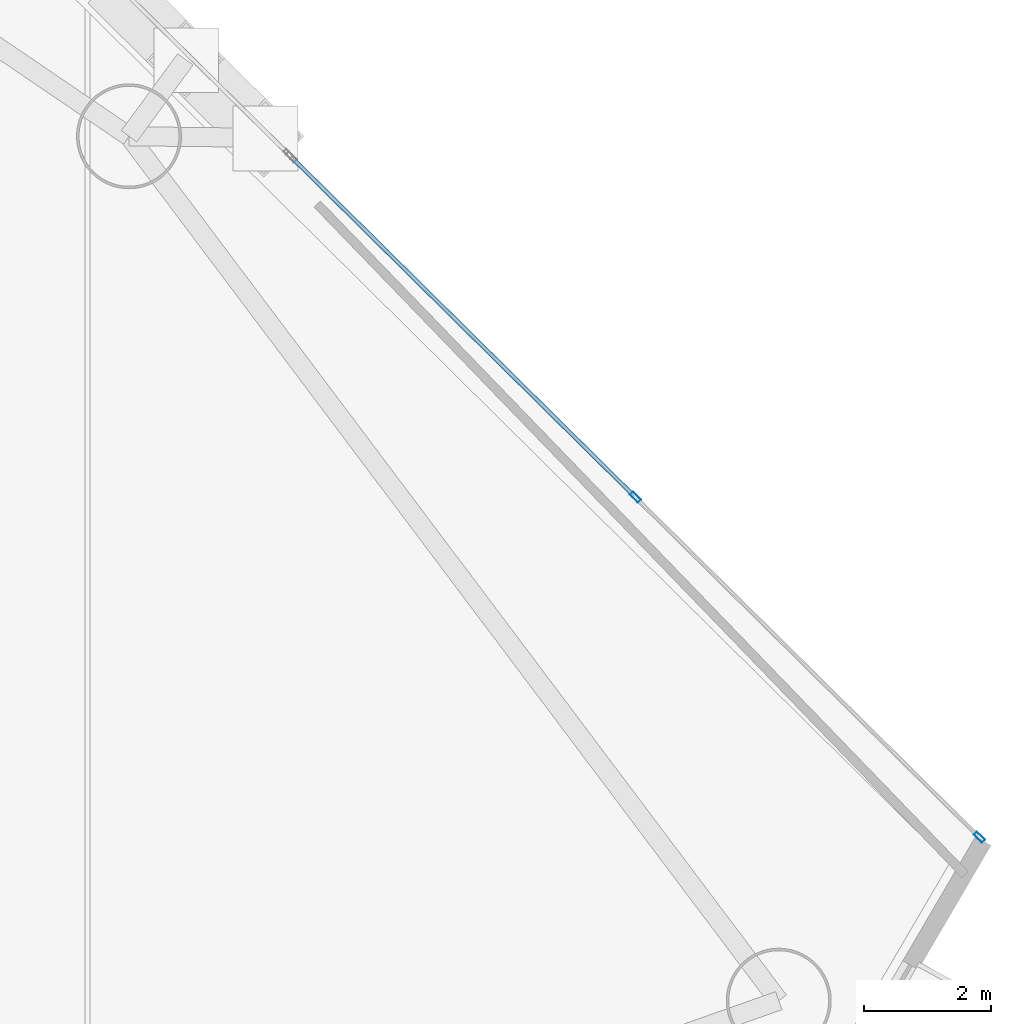
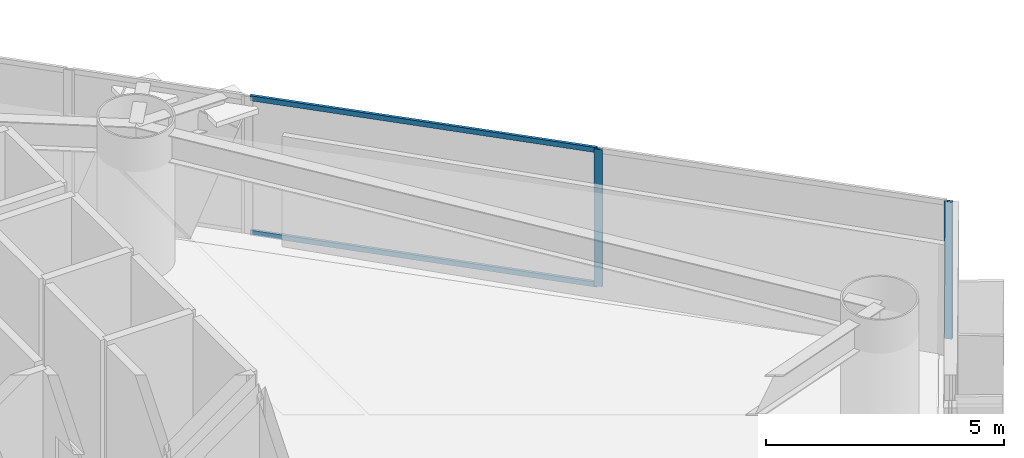
# One storey, part 15 of 24: 4 members, 1 element without a shape of its own.
"""IFC4 building model written with IfcOpenShell, lengths in metres."""

import ifcopenshell
import ifcopenshell.guid

model = None  # the IFC model being written
_history = None  # IfcOwnerHistory: only IFC2X3 demands one
_inside = {}  # id of a spatial element -> (the spatial element, [elements in it])
_under = {}  # id of a project, library or spatial element -> (it, [spatial elements below it])
_declared = {}  # id of a project -> (the project, [libraries it declares])
_typed = {}  # id of a type object -> (the type object, [elements of that type])
_made_of = {}  # id of a material, layer set ... -> (it, [elements and type objects made of it])


def new_model(schema):
    """Start an empty IFC model of exactly this schema.

    Asked for "IFC4X3", IfcOpenShell would pick the latest addendum, in which some entities
    have other attributes; the version numbers below select the first issue.
    IFC2X3 requires an IfcOwnerHistory on every rooted entity: one is made here for all.
    """
    global model, _history
    if schema == "IFC4X3":
        model = ifcopenshell.file(schema_version=(4, 3, 0, 0))
    else:
        model = ifcopenshell.file(schema=schema)
    _inside.clear()
    _under.clear()
    _declared.clear()
    _typed.clear()
    _made_of.clear()
    _history = None
    if model.schema == "IFC2X3":
        org = make("IfcOrganization", Name="unknown")
        user = make(
            "IfcPersonAndOrganization",
            ThePerson=make("IfcPerson", FamilyName="unknown"),
            TheOrganization=org,
        )
        app = make(
            "IfcApplication",
            ApplicationDeveloper=org,
            Version="unknown",
            ApplicationFullName="unknown",
            ApplicationIdentifier="unknown",
        )
        _history = make(
            "IfcOwnerHistory",
            OwningUser=user,
            OwningApplication=app,
            ChangeAction="ADDED",
            CreationDate=0,
        )
    return model


def make(cls, **values):
    """One entity of the class cls with the attributes given. An attribute that is None is left unset."""
    return model.create_entity(
        cls, **{name: value for name, value in values.items() if value is not None}
    )


def rooted(cls, **values):
    """An entity with a GlobalId (a new one), such as an element, a storey or a relation."""
    return make(cls, GlobalId=ifcopenshell.guid.new(), OwnerHistory=_history, **values)


def si_unit(unit_type, name, prefix=None):
    """IfcSIUnit, for example si_unit("LENGTHUNIT", "METRE", prefix="MILLI")."""
    return make("IfcSIUnit", UnitType=unit_type, Prefix=prefix, Name=name)


def assignment(units):
    """IfcUnitAssignment: the units of a project."""
    return None if units is None else make("IfcUnitAssignment", Units=units)


def point(xyz):
    """IfcCartesianPoint."""
    return None if xyz is None else make("IfcCartesianPoint", Coordinates=xyz)


def direction(xyz):
    """IfcDirection."""
    return None if xyz is None else make("IfcDirection", DirectionRatios=xyz)


def frame(location, z_axis=None, x_axis=None):
    """IfcAxis2Placement3D, a coordinate frame: its origin and axes. An axis left out is left unset."""
    return make(
        "IfcAxis2Placement3D",
        Location=point(location),
        Axis=direction(z_axis),
        RefDirection=direction(x_axis),
    )


def frame_2d(location, x_axis=None):
    """IfcAxis2Placement2D, a coordinate frame in the plane: its origin and x axis."""
    return make(
        "IfcAxis2Placement2D", Location=point(location), RefDirection=direction(x_axis)
    )


def origin():
    """The frame at (0, 0, 0) with its axes left unset."""
    return frame((0.0, 0.0, 0.0))


def origin_2d():
    """The frame at (0, 0) in the plane with its x axis left unset."""
    return frame_2d((0.0, 0.0))


def place(relative_to, where):
    """IfcLocalPlacement: puts the frame where relative to a parent placement (None: the world)."""
    return make(
        "IfcLocalPlacement", PlacementRelTo=relative_to, RelativePlacement=where
    )


def context(
    kind, dimensions, precision=None, world=None, true_north=None, identifier=None
):
    """IfcGeometricRepresentationContext, for example the 3D "Model" context."""
    return make(
        "IfcGeometricRepresentationContext",
        ContextIdentifier=identifier,
        ContextType=kind,
        CoordinateSpaceDimension=dimensions,
        Precision=precision,
        WorldCoordinateSystem=world,
        TrueNorth=true_north,
    )


def subcontext(parent, identifier, kind, view, scale=None):
    """IfcGeometricRepresentationSubContext, for example "Body" below "Model"."""
    return make(
        "IfcGeometricRepresentationSubContext",
        ContextIdentifier=identifier,
        ContextType=kind,
        ParentContext=parent,
        TargetScale=scale,
        TargetView=view,
    )


def project(units=None, contexts=None):
    """IfcProject with its units and contexts."""
    return rooted(
        "IfcProject",
        Name="project",
        RepresentationContexts=contexts,
        UnitsInContext=assignment(units),
    )


def spatial(cls, under=None, at=None, **own):
    """A site, building, storey or space (cls), placed at a placement, below another one or the project."""
    s = rooted(cls, ObjectPlacement=at, **own)
    if under is not None:
        _under.setdefault(under.id(), (under, []))[1].append(s)
    return s


def profile(cls, at=None, kind="AREA", **sizes):
    """A parametric profile (cls). Its sizes go by their IFC names, for example OverallWidth=200.0."""
    return make(cls, ProfileType=kind, Position=at, **sizes)


def hollow_rectangle(**sizes):
    """IfcRectangleHollowProfileDef."""
    return profile("IfcRectangleHollowProfileDef", **sizes)


def extrude(swept, where, along, depth):
    """IfcExtrudedAreaSolid: the profile swept, set in the frame where, extruded along a direction by depth."""
    return make(
        "IfcExtrudedAreaSolid",
        SweptArea=swept,
        Position=where,
        ExtrudedDirection=direction(along),
        Depth=depth,
    )


def shape(context_of_items, identifier, shape_type, items):
    """IfcShapeRepresentation: the items that make up one representation, for example the "Body"."""
    return make(
        "IfcShapeRepresentation",
        ContextOfItems=context_of_items,
        RepresentationIdentifier=identifier,
        RepresentationType=shape_type,
        Items=items,
    )


def material(Name=None, Category=None):
    """IfcMaterial."""
    return make("IfcMaterial", Name=Name, Category=Category)


def layer(
    of_material, thickness, ventilated=None, Name=None, Category=None, Priority=None
):
    """IfcMaterialLayer: one layer of a wall or slab, of a material (None: an air gap)."""
    return make(
        "IfcMaterialLayer",
        Material=of_material,
        LayerThickness=thickness,
        IsVentilated=ventilated,
        Name=Name,
        Category=Category,
        Priority=Priority,
    )


def layer_set(layers, Name=None):
    """IfcMaterialLayerSet."""
    return make("IfcMaterialLayerSet", MaterialLayers=layers, LayerSetName=Name)


def material_profile(
    of_material, cross_section, Name=None, Category=None, Priority=None
):
    """IfcMaterialProfile: a cross section and its material."""
    return make(
        "IfcMaterialProfile",
        Name=Name,
        Material=of_material,
        Profile=cross_section,
        Priority=Priority,
        Category=Category,
    )


def profile_set(profiles, Name=None, composite=None):
    """IfcMaterialProfileSet."""
    return make(
        "IfcMaterialProfileSet",
        Name=Name,
        MaterialProfiles=profiles,
        CompositeProfile=composite,
    )


def made_of(thing, what):
    """Note that an element or type object is made of a material, layer set ...; save() writes the relation."""
    if what is not None:
        _made_of.setdefault(what.id(), (what, []))[1].append(thing)
    return thing


def type_object(cls, material=None, **own):
    """A type object (cls), such as IfcWallType, which elements share."""
    return made_of(rooted(cls, **own), material)


def element(
    cls,
    number,
    at=None,
    inside=None,
    cuts=None,
    type_object=None,
    material=None,
    context=None,
    identifier="Body",
    shape_type=None,
    held_by="IfcProductDefinitionShape",
    body=None,
    shapes=None,
    **own,
):
    """One element of the class cls, such as IfcWall. Its Tag is "e" and its number.

    at: its placement. inside: the storey or other place that contains it. cuts: it is an
    opening in that element (IfcRelVoidsElement). A single representation is given by context,
    identifier, shape_type and body (its items); several are given by shapes. held_by: the class
    of the entity that holds the representations. save() writes the other relations.
    """
    e = rooted(cls, Tag="e%d" % number, ObjectPlacement=at, **own)
    if body is not None:
        shapes = [shape(context, identifier, shape_type, body)]
    if shapes is not None:
        e.Representation = make(held_by, Representations=shapes)
    if inside is not None:
        _inside.setdefault(inside.id(), (inside, []))[1].append(e)
    if cuts is not None:
        rooted(
            "IfcRelVoidsElement", RelatingBuildingElement=cuts, RelatedOpeningElement=e
        )
    if type_object is not None:
        _typed.setdefault(type_object.id(), (type_object, []))[1].append(e)
    return made_of(e, material)


def aggregate(whole, parts):
    """IfcRelAggregates: a whole, such as a stair, and the parts it consists of."""
    return rooted("IfcRelAggregates", RelatingObject=whole, RelatedObjects=parts)


def save(model, path):
    """Write the relations noted so far, then the file.

    IfcRelAggregates (storeys below a building ...), IfcRelContainedInSpatialStructure (elements
    in a storey), IfcRelDefinesByType, IfcRelAssociatesMaterial and IfcRelDeclares: one each for
    every whole, place, type object, material and project.
    """
    for whole, parts in _under.values():
        aggregate(whole, parts)
    for where, things in _inside.values():
        rooted(
            "IfcRelContainedInSpatialStructure",
            RelatedElements=things,
            RelatingStructure=where,
        )
    for kind, things in _typed.values():
        rooted("IfcRelDefinesByType", RelatedObjects=things, RelatingType=kind)
    for what, things in _made_of.values():
        rooted("IfcRelAssociatesMaterial", RelatedObjects=things, RelatingMaterial=what)
    for by, libraries in _declared.values():
        rooted("IfcRelDeclares", RelatingContext=by, RelatedDefinitions=libraries)
    model.write(path)


model = new_model("IFC4")

# Units and contexts
model_context = context("Model", 3, precision=1e-05, world=origin(), true_north=direction((0.0, 1.0)))
body_context = subcontext(model_context, "Body", "Model", "MODEL_VIEW")
ifc_project = project(units=[si_unit("LENGTHUNIT", "METRE"), si_unit("AREAUNIT", "SQUARE_METRE"), si_unit("VOLUMEUNIT", "CUBIC_METRE"), si_unit("PLANEANGLEUNIT", "RADIAN"), si_unit("MASSUNIT", "GRAM", prefix="KILO")], contexts=[model_context])

# Site, building, storey
site_placement = place(None, origin())
site = spatial("IfcSite", under=ifc_project, at=site_placement, CompositionType="ELEMENT")
building_placement = place(site_placement, origin())
building = spatial("IfcBuilding", under=site, at=building_placement, Name="Qianvela Tower", CompositionType="ELEMENT")
storey_placement = place(building_placement, frame((0.0, 0.0, 59.89990234375)))
storey = spatial("IfcBuildingStorey", under=building, at=storey_placement, Name="L14", CompositionType="ELEMENT", Elevation=59.89990234375)

# Curtain wall, members
ifc_material_1 = material(Name="Anodised Architectural Aluminium and Low-E Glass", Category="aluminium")
ifc_layer = layer(ifc_material_1, 0.179931640625)
ifc_layer_set = layer_set([ifc_layer], Name="Anodised Architectural Aluminium and Low-E Glass")
curtain_wall_type = type_object("IfcCurtainWallType", Name="CW-COLIV-Z12", PredefinedType="USERDEFINED", material=ifc_layer_set)
curtain_wall_placement = place(storey_placement, origin())
curtain_wall = element("IfcCurtainWall", 1, at=curtain_wall_placement, inside=storey, type_object=curtain_wall_type, Name="L14 CW-COLIV-Z12 Curtain Wall 02A", ObjectType="CURTAIN_WALL_SYSTEM", PredefinedType="USERDEFINED")
ifc_material_2 = material(Name="Anodised Architectural Aluminium 6063-T6", Category="aluminium")
ifc_material_profile_1 = material_profile(ifc_material_2, hollow_rectangle(XDim=0.070068359375, YDim=0.179931640625, WallThickness=0.0048828125, at=origin_2d()), Name="ALU-MULL-70x180")
ifc_profile_set_1 = profile_set([ifc_material_profile_1], Name="Anodised Architectural Aluminium 6063-T6")
member_type_1 = type_object("IfcMemberType", Name="CW-COLIV-Z12-MULL", PredefinedType="MULLION", material=ifc_profile_set_1)
member_1_placement = place(storey_placement, frame((59.352783203125, 23.037109375, 0.0), z_axis=(0.0, 0.0, 1.0), x_axis=(-0.703060559773, -0.711129980588, 0.0)))
member_1 = element("IfcMember", 2, at=member_1_placement, type_object=member_type_1, Name="CW-3 mullion 1", PredefinedType="MULLION", context=body_context, shape_type="SweptSolid", body=[
    extrude(hollow_rectangle(XDim=0.070068359375, YDim=0.179931640625, WallThickness=0.0048828125, at=origin_2d()), origin(), (0.0, 0.0, 1.0), 3.52001953125),
])
member_2_placement = place(storey_placement, frame((53.944580078125, 28.384033203125, 0.0), z_axis=(0.0, 0.0, 1.0), x_axis=(-0.703060559773, -0.711129980588, 0.0)))
member_2 = element("IfcMember", 3, at=member_2_placement, type_object=member_type_1, Name="CW-3 mullion 2", PredefinedType="MULLION", context=body_context, shape_type="SweptSolid", body=[
    extrude(hollow_rectangle(XDim=0.070068359375, YDim=0.179931640625, WallThickness=0.0048828125, at=origin_2d()), origin(), (0.0, 0.0, 1.0), 3.52001953125),
])
ifc_material_3 = material(Name="Anodised Architectural Aluminium 6063-T6", Category="aluminium")
ifc_material_profile_2 = material_profile(ifc_material_3, hollow_rectangle(XDim=0.06494140625, YDim=0.1298828125, WallThickness=0.00439453125, at=origin_2d()), Name="ALU-TRAN-65x130")
ifc_profile_set_2 = profile_set([ifc_material_profile_2], Name="Anodised Architectural Aluminium 6063-T6")
member_type_2 = type_object("IfcMemberType", Name="CW-COLIV-Z12-TRAN", PredefinedType="USERDEFINED", material=ifc_profile_set_2)
member_3_placement = place(storey_placement, frame((53.919921875, 28.408447265625, 0.03271484375), z_axis=(-0.711129154078, 0.703061395769, 0.0), x_axis=(-0.703061395769, -0.711129154078, 0.0)))
member_3 = element("IfcMember", 4, at=member_3_placement, type_object=member_type_2, Name="CW-3 transom 2.1", ObjectType="TRANSOM", PredefinedType="USERDEFINED", context=body_context, shape_type="SweptSolid", body=[
    extrude(hollow_rectangle(XDim=0.06494140625, YDim=0.1298828125, WallThickness=0.00439453125, at=origin_2d()), origin(), (0.0, 0.0, 1.0), 7.53515625),
])
member_4_placement = place(storey_placement, frame((53.919921875, 28.408447265625, 3.487548828125), z_axis=(-0.711129154078, 0.703061395769, 0.0), x_axis=(-0.703061395769, -0.711129154078, 0.0)))
member_4 = element("IfcMember", 5, at=member_4_placement, type_object=member_type_2, Name="CW-3 transom 2.2", ObjectType="TRANSOM", PredefinedType="USERDEFINED", context=body_context, shape_type="SweptSolid", body=[
    extrude(hollow_rectangle(XDim=0.06494140625, YDim=0.1298828125, WallThickness=0.00439453125, at=origin_2d()), origin(), (0.0, 0.0, 1.0), 7.53515625),
])
aggregate(curtain_wall, [member_1, member_2, member_3, member_4])

save(model, "model.ifc")
